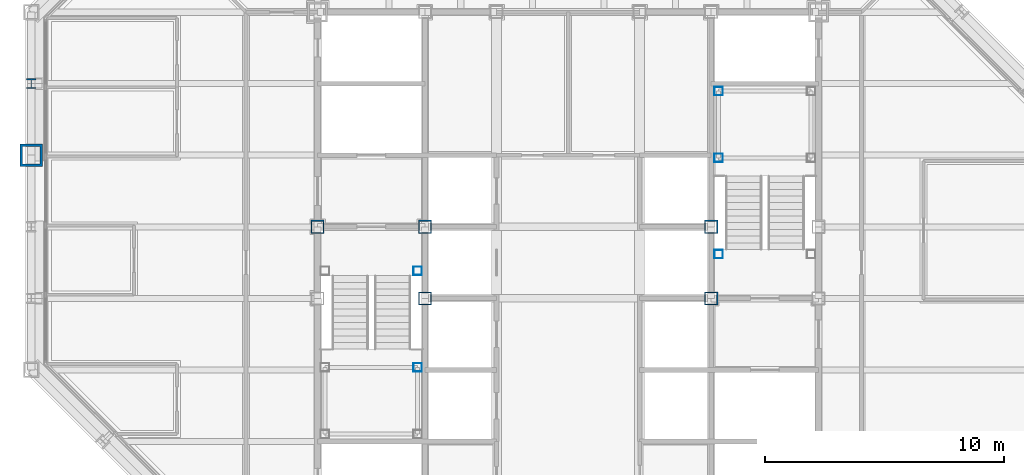
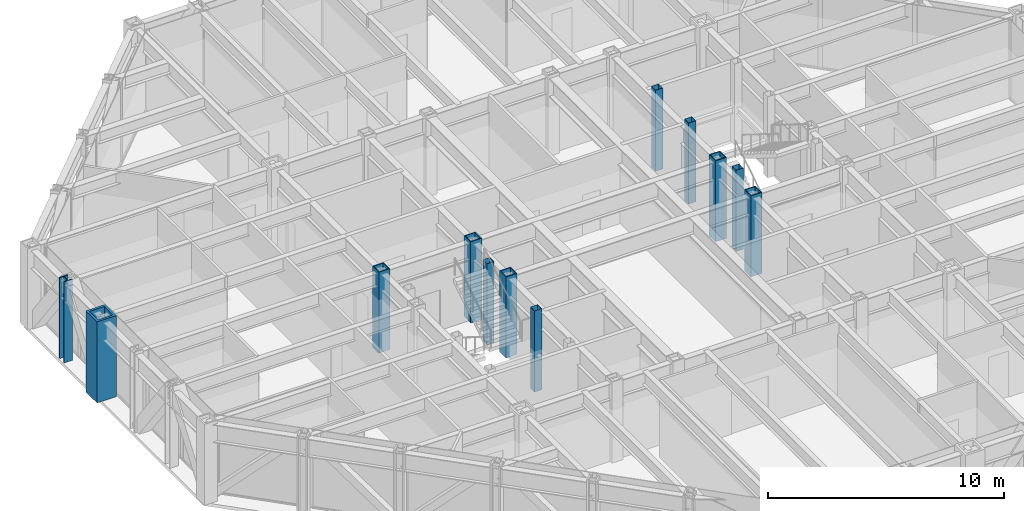
# One storey, part 2 of 16: 12 columns.
"""IFC4 building model written with IfcOpenShell, lengths in metres."""

from ifc_helpers import new_model, si_unit, direction, frame, origin, origin_2d, place, context, subcontext, project, spatial, hollow_rectangle, i_section, extrude, material, material_profile, profile_set, type_object, element, save


model = new_model("IFC4")

# Units and contexts
model_context = context("Model", 3, precision=1e-05, world=origin(), true_north=direction((0.0, 1.0)))
body_context = subcontext(model_context, "Body", "Model", "MODEL_VIEW")
ifc_project = project(units=[si_unit("LENGTHUNIT", "METRE"), si_unit("AREAUNIT", "SQUARE_METRE"), si_unit("VOLUMEUNIT", "CUBIC_METRE"), si_unit("PLANEANGLEUNIT", "RADIAN"), si_unit("MASSUNIT", "GRAM", prefix="KILO")], contexts=[model_context])

# Site, building, storey
site_placement = place(None, origin())
site = spatial("IfcSite", under=ifc_project, at=site_placement, CompositionType="ELEMENT")
building_placement = place(site_placement, origin())
building = spatial("IfcBuilding", under=site, at=building_placement, Name="Chuquiago Exchange Tower", CompositionType="ELEMENT")
storey_placement = place(building_placement, frame((0.0, 0.0, 234.89990234375)))
storey = spatial("IfcBuildingStorey", under=building, at=storey_placement, Name="L52", CompositionType="ELEMENT", Elevation=234.89990234375)

# Columns
ifc_material_1 = material(Name="Steel ASTM A992", Category="steel")
ifc_material_profile_1 = material_profile(ifc_material_1, i_section(OverallWidth=0.408935546875, OverallDepth=0.424072265625, WebThickness=0.03271484375, FlangeThickness=0.052490234375, at=origin_2d()), Name="W14X283")
ifc_profile_set_1 = profile_set([ifc_material_profile_1], Name="Steel ASTM A992")
column_type_1 = type_object("IfcColumnType", Name="C8 W14X283", PredefinedType="COLUMN", material=ifc_profile_set_1)
column_1_placement = place(storey_placement, frame((0.0, 30.0, 0.0), z_axis=(0.0, 0.0, 1.0), x_axis=(-1.0, 0.0, 0.0)))
element("IfcColumn", 1, at=column_1_placement, inside=storey, type_object=column_type_1, Name="COL-L52-0_30", PredefinedType="COLUMN", context=body_context, shape_type="SweptSolid", body=[
    extrude(i_section(OverallWidth=0.408935546875, OverallDepth=0.424072265625, WebThickness=0.03271484375, FlangeThickness=0.052490234375, at=origin_2d()), origin(), (0.0, 0.0, 1.0), 4.2001953125),
])
ifc_material_2 = material(Name="Steel ASTM A572 Grade 50", Category="steel")
ifc_material_profile_2 = material_profile(ifc_material_2, hollow_rectangle(XDim=0.550048828125, YDim=0.550048828125, WallThickness=0.044921875, at=origin_2d()), Name="BOX550X550X45")
ifc_profile_set_2 = profile_set([ifc_material_profile_2], Name="Steel ASTM A572 Grade 50")
column_type_2 = type_object("IfcColumnType", Name="CC8 BOX550X550X45", PredefinedType="COLUMN", material=ifc_profile_set_2)
for number, where, z_axis, x_axis, name in (
    (2, (12.0, 24.0, 0.0), (0.0, 0.0, 1.0), (1.0, 0.0, 0.0), "CCOL-L52-12_24"),
    (3, (16.5, 21.0, 0.0), (0.0, 0.0, 1.0), (1.0, 0.0, 0.0), "CCOL-L52-16.5_21"),
    (4, (16.5, 24.0, 0.0), (0.0, 0.0, 1.0), (1.0, 0.0, 0.0), "CCOL-L52-16.5_24"),
    (5, (28.5, 21.0, 0.0), (0.0, 0.0, 1.0), (1.0, 0.0, 0.0), "CCOL-L52-28.5_21"),
    (6, (28.5, 24.0, 0.0), (0.0, 0.0, 1.0), (1.0, 0.0, 0.0), "CCOL-L52-28.5_24"),
):
    element("IfcColumn", number, at=place(storey_placement, frame(where, z_axis=z_axis, x_axis=x_axis)), inside=storey, type_object=column_type_2, Name=name, PredefinedType="COLUMN", context=body_context, shape_type="SweptSolid", body=[
        extrude(hollow_rectangle(XDim=0.550048828125, YDim=0.550048828125, WallThickness=0.044921875, at=origin_2d()), origin(), (0.0, 0.0, 1.0), 4.2001953125),
    ])
ifc_material_3 = material(Name="Steel ASTM A572 Grade 42", Category="steel")
ifc_material_profile_3 = material_profile(ifc_material_3, hollow_rectangle(XDim=0.949951171875, YDim=0.949951171875, WallThickness=0.110107421875, at=origin_2d()), Name="BOX950X950X110")
ifc_profile_set_3 = profile_set([ifc_material_profile_3], Name="Steel ASTM A572 Grade 42")
column_type_3 = type_object("IfcColumnType", Name="CT1 BOX950X950X110", PredefinedType="COLUMN", material=ifc_profile_set_3)
column_2_placement = place(storey_placement, frame((0.0, 27.0, 0.0), z_axis=(0.0, 0.0, 1.0), x_axis=(-1.0, 0.0, 0.0)))
element("IfcColumn", 7, at=column_2_placement, inside=storey, type_object=column_type_3, Name="COL-L52-0_27", PredefinedType="COLUMN", context=body_context, shape_type="SweptSolid", body=[
    extrude(hollow_rectangle(XDim=0.949951171875, YDim=0.949951171875, WallThickness=0.110107421875, at=origin_2d()), origin(), (0.0, 0.0, 1.0), 4.2001953125),
])
ifc_material_4 = material(Name="Steel ASTM A500 Grade C", Category="steel")
ifc_material_profile_4 = material_profile(ifc_material_4, hollow_rectangle(XDim=0.355712890625, YDim=0.355712890625, WallThickness=0.0087890625, at=origin_2d()), Name="HSS14X14X3/8")
ifc_profile_set_4 = profile_set([ifc_material_profile_4], Name="Steel ASTM A500 Grade C")
column_type_4 = type_object("IfcColumnType", Name="PT1 HSS14X14X3/8", PredefinedType="COLUMN", material=ifc_profile_set_4)
for number, where, z_axis, x_axis, name in (
    (8, (16.18994140625, 18.110107421875, 0.0), (0.0, 0.0, 1.0), (1.0, 0.0, 0.0), "Stair ST1 L52 landing post"),
    (9, (16.18994140625, 22.14990234375, 0.0), (0.0, 0.0, 1.0), (1.0, 0.0, 0.0), "Stair ST1 L52 landing post"),
    (10, (28.81005859375, 29.68994140625, 0.0), (0.0, 0.0, 1.0), (1.0, 0.0, 0.0), "Stair ST2 L52 landing post"),
    (11, (28.81005859375, 26.889892578125, 0.0), (0.0, 0.0, 1.0), (1.0, 0.0, 0.0), "Stair ST2 L52 landing post"),
    (12, (28.81005859375, 22.85009765625, 0.0), (0.0, 0.0, 1.0), (1.0, 0.0, 0.0), "Stair ST2 L52 landing post"),
):
    element("IfcColumn", number, at=place(storey_placement, frame(where, z_axis=z_axis, x_axis=x_axis)), inside=storey, type_object=column_type_4, Name=name, PredefinedType="COLUMN", context=body_context, shape_type="SweptSolid", body=[
        extrude(hollow_rectangle(XDim=0.355712890625, YDim=0.355712890625, WallThickness=0.0087890625, at=origin_2d()), origin(), (0.0, 0.0, 1.0), 4.2001953125),
    ])

save(model, "model.ifc")
